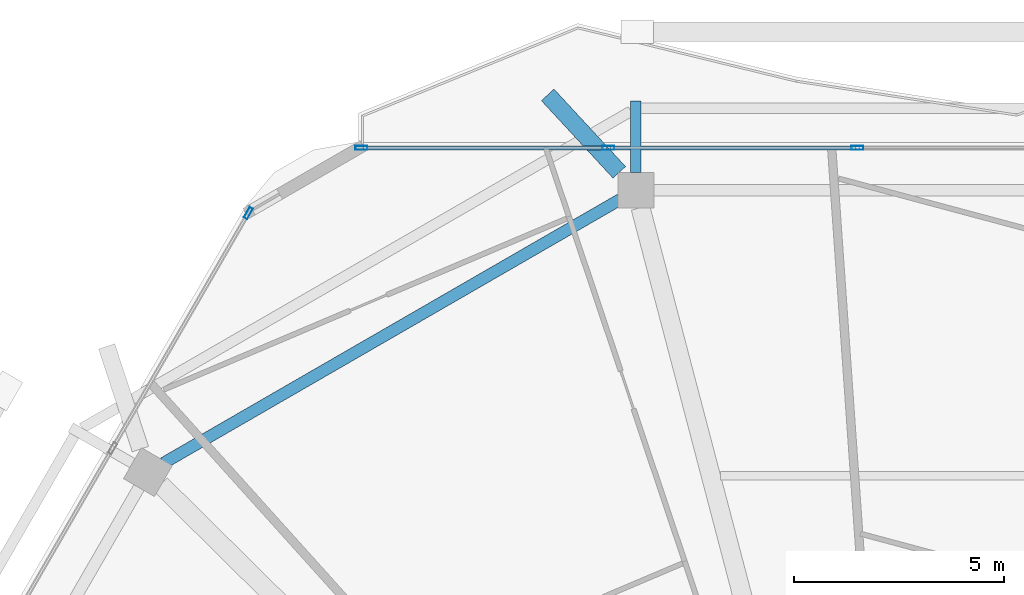
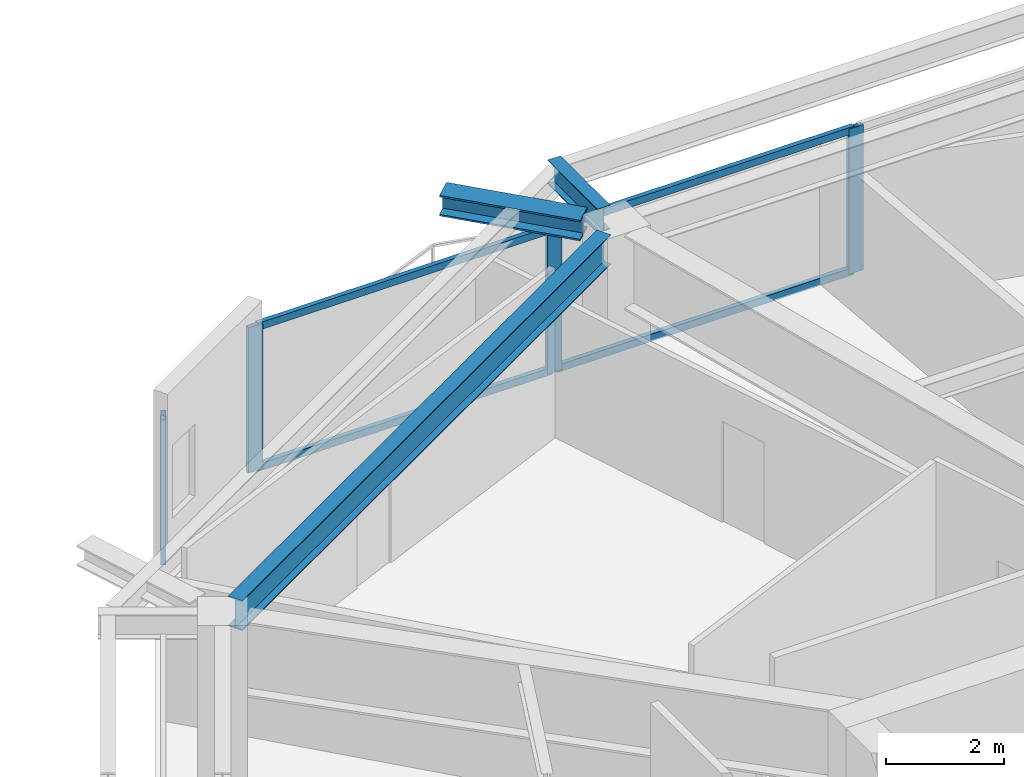
# One storey, part 14 of 26: 8 members, 3 beams, 2 elements without a shape of their own.
"""IFC4 building model written with IfcOpenShell, lengths in metres."""

from ifc_helpers import new_model, si_unit, direction, frame, origin, origin_2d, place, context, subcontext, project, spatial, hollow_rectangle, i_section, extrude, material, material_profile, profile_set, type_object, element, aggregate, save


model = new_model("IFC4")

# Units and contexts
model_context = context("Model", 3, precision=1e-05, world=origin(), true_north=direction((0.0, 1.0)))
body_context = subcontext(model_context, "Body", "Model", "MODEL_VIEW")
ifc_project = project(units=[si_unit("LENGTHUNIT", "METRE"), si_unit("AREAUNIT", "SQUARE_METRE"), si_unit("VOLUMEUNIT", "CUBIC_METRE"), si_unit("PLANEANGLEUNIT", "RADIAN"), si_unit("MASSUNIT", "GRAM", prefix="KILO")], contexts=[model_context])

# Site, building, storey
site_placement = place(None, origin())
site = spatial("IfcSite", under=ifc_project, at=site_placement, CompositionType="ELEMENT")
building_placement = place(site_placement, origin())
building = spatial("IfcBuilding", under=site, at=building_placement, Name="Zuhravey Tower", CompositionType="ELEMENT")
storey_placement = place(building_placement, frame((0.0, 0.0, 299.60009765625)))
storey = spatial("IfcBuildingStorey", under=building, at=storey_placement, Name="L76", CompositionType="ELEMENT", Elevation=299.60009765625)

# Curtain wall, member
ifc_material_1 = material(Name="Thermally broken anodised aluminium", Category="aluminium")
curtain_wall_type = type_object("IfcCurtainWallType", Name="Zone 3-4 High-Rise Curtain Wall CW4", PredefinedType="NOTDEFINED", material=ifc_material_1)
curtain_wall_1_placement = place(storey_placement, origin())
curtain_wall_1 = element("IfcCurtainWall", 1, at=curtain_wall_1_placement, inside=storey, type_object=curtain_wall_type, Name="L76 CW4 CW-L76-F3-1", PredefinedType="NOTDEFINED")
ifc_material_2 = material(Name="Anodised aluminium", Category="aluminium")
ifc_material_profile_1 = material_profile(ifc_material_2, hollow_rectangle(XDim=0.090087890625, YDim=0.284912109375, WallThickness=0.0048828125, at=origin_2d()), Name="ALU-RHS-90x285x5")
ifc_profile_set_1 = profile_set([ifc_material_profile_1], Name="Anodised aluminium")
member_type_1 = type_object("IfcMemberType", Name="Curtain-Wall Mullion 90x180", PredefinedType="MULLION", material=ifc_profile_set_1)
member_1_placement = place(storey_placement, frame((20.34521484375, 56.01220703125, 0.0), z_axis=(0.0, 0.0, 1.0), x_axis=(-0.866024851021, 0.500000957414, 0.0)))
member_1 = element("IfcMember", 2, at=member_1_placement, type_object=member_type_1, Name="CW4 mullion 5", PredefinedType="MULLION", context=body_context, shape_type="SweptSolid", body=[
    extrude(hollow_rectangle(XDim=0.090087890625, YDim=0.284912109375, WallThickness=0.0048828125, at=origin_2d()), origin(), (0.0, 0.0, 1.0), 3.02001953125),
])
aggregate(curtain_wall_1, [member_1])

# Curtain wall, members
curtain_wall_2_placement = place(storey_placement, origin())
curtain_wall_2 = element("IfcCurtainWall", 3, at=curtain_wall_2_placement, inside=storey, type_object=curtain_wall_type, Name="L76 CW4 CW-L76-F2-1", PredefinedType="NOTDEFINED")
member_2_placement = place(storey_placement, frame((23.0322265625, 57.563720703125, 0.0), z_axis=(0.0, 0.0, 1.0), x_axis=(0.0, 1.0, 0.0)))
member_2 = element("IfcMember", 4, at=member_2_placement, type_object=member_type_1, Name="CW4 mullion 1", PredefinedType="MULLION", context=body_context, shape_type="SweptSolid", body=[
    extrude(hollow_rectangle(XDim=0.090087890625, YDim=0.284912109375, WallThickness=0.0048828125, at=origin_2d()), origin(), (0.0, 0.0, 1.0), 3.02001953125),
])
member_3_placement = place(storey_placement, frame((28.90625, 57.563720703125, 0.0), z_axis=(0.0, 0.0, 1.0), x_axis=(0.0, 1.0, 0.0)))
member_3 = element("IfcMember", 5, at=member_3_placement, type_object=member_type_1, Name="CW4 mullion 2", PredefinedType="MULLION", context=body_context, shape_type="SweptSolid", body=[
    extrude(hollow_rectangle(XDim=0.090087890625, YDim=0.284912109375, WallThickness=0.0048828125, at=origin_2d()), origin(), (0.0, 0.0, 1.0), 3.02001953125),
])
member_4_placement = place(storey_placement, frame((34.824951171875, 57.563720703125, 0.0), z_axis=(0.0, 0.0, 1.0), x_axis=(0.0, 1.0, 0.0)))
member_4 = element("IfcMember", 6, at=member_4_placement, type_object=member_type_1, Name="CW4 mullion 3", PredefinedType="MULLION", context=body_context, shape_type="SweptSolid", body=[
    extrude(hollow_rectangle(XDim=0.090087890625, YDim=0.284912109375, WallThickness=0.0048828125, at=origin_2d()), origin(), (0.0, 0.0, 1.0), 3.02001953125),
])
ifc_material_profile_2 = material_profile(ifc_material_2, hollow_rectangle(XDim=0.090087890625, YDim=0.14990234375, WallThickness=0.0048828125, at=origin_2d()), Name="ALU-RHS-90x150x5")
ifc_profile_set_2 = profile_set([ifc_material_profile_2], Name="Anodised aluminium")
member_type_2 = type_object("IfcMemberType", Name="Curtain-Wall Transom 90x150", PredefinedType="USERDEFINED", material=ifc_profile_set_2)
member_5_placement = place(storey_placement, frame((23.077392578125, 57.563720703125, 0.044921875), z_axis=(1.0, 0.0, 0.0), x_axis=(0.0, 1.0, 0.0)))
member_5 = element("IfcMember", 7, at=member_5_placement, type_object=member_type_2, Name="CW4 transom 1.1", ObjectType="TRANSOM", PredefinedType="USERDEFINED", context=body_context, shape_type="SweptSolid", body=[
    extrude(hollow_rectangle(XDim=0.090087890625, YDim=0.14990234375, WallThickness=0.0048828125, at=origin_2d()), origin(), (0.0, 0.0, 1.0), 5.78369140625),
])
member_6_placement = place(storey_placement, frame((23.077392578125, 57.563720703125, 2.974853515625), z_axis=(1.0, 0.0, 0.0), x_axis=(0.0, 1.0, 0.0)))
member_6 = element("IfcMember", 8, at=member_6_placement, type_object=member_type_2, Name="CW4 transom 1.2", ObjectType="TRANSOM", PredefinedType="USERDEFINED", context=body_context, shape_type="SweptSolid", body=[
    extrude(hollow_rectangle(XDim=0.090087890625, YDim=0.14990234375, WallThickness=0.0048828125, at=origin_2d()), origin(), (0.0, 0.0, 1.0), 5.78369140625),
])
member_7_placement = place(storey_placement, frame((28.951171875, 57.563720703125, 0.044921875), z_axis=(1.0, 0.0, 0.0), x_axis=(0.0, 1.0, 0.0)))
member_7 = element("IfcMember", 9, at=member_7_placement, type_object=member_type_2, Name="CW4 transom 2.1", ObjectType="TRANSOM", PredefinedType="USERDEFINED", context=body_context, shape_type="SweptSolid", body=[
    extrude(hollow_rectangle(XDim=0.090087890625, YDim=0.14990234375, WallThickness=0.0048828125, at=origin_2d()), origin(), (0.0, 0.0, 1.0), 5.828857421875),
])
member_8_placement = place(storey_placement, frame((28.951171875, 57.563720703125, 2.974853515625), z_axis=(1.0, 0.0, 0.0), x_axis=(0.0, 1.0, 0.0)))
member_8 = element("IfcMember", 10, at=member_8_placement, type_object=member_type_2, Name="CW4 transom 2.2", ObjectType="TRANSOM", PredefinedType="USERDEFINED", context=body_context, shape_type="SweptSolid", body=[
    extrude(hollow_rectangle(XDim=0.090087890625, YDim=0.14990234375, WallThickness=0.0048828125, at=origin_2d()), origin(), (0.0, 0.0, 1.0), 5.828857421875),
])
aggregate(curtain_wall_2, [member_2, member_3, member_4, member_5, member_6, member_7, member_8])

# Beams
ifc_material_3 = material(Name="Steel SM460", Category="steel")
ifc_material_profile_3 = material_profile(ifc_material_3, i_section(OverallWidth=0.406982421875, OverallDepth=0.427978515625, WebThickness=0.02001953125, FlangeThickness=0.034912109375, at=origin_2d()), Name="H-428x407x20x35")
ifc_profile_set_3 = profile_set([ifc_material_profile_3], Name="Steel SM460")
beam_type_1 = type_object("IfcBeamType", Name="Exoskeleton Node Tie Beam H428x407", PredefinedType="BEAM", material=ifc_profile_set_3)
beam_1_placement = place(storey_placement, frame((29.163330078125, 56.9814453125, 3.305908203125), z_axis=(-0.678870161951, 0.734258335474, 0.0), x_axis=(-0.734258335474, -0.678870161951, 0.0)))
element("IfcBeam", 11, at=beam_1_placement, inside=storey, type_object=beam_type_1, Name="L76 Exoskeleton Node Tie NT1-04", PredefinedType="BEAM", context=body_context, shape_type="SweptSolid", body=[
    extrude(i_section(OverallWidth=0.406982421875, OverallDepth=0.427978515625, WebThickness=0.02001953125, FlangeThickness=0.034912109375, at=origin_2d()), origin(), (0.0, 0.0, 1.0), 2.508056640625),
])
ifc_material_4 = material(Name="Steel SM355", Category="steel")
ifc_material_profile_4 = material_profile(ifc_material_4, i_section(OverallWidth=0.280029296875, OverallDepth=0.6201171875, WebThickness=0.011962890625, FlangeThickness=0.02001953125, at=origin_2d()), Name="H-620x280x12x20")
ifc_profile_set_4 = profile_set([ifc_material_profile_4], Name="Steel SM355")
beam_type_2 = type_object("IfcBeamType", Name="Perimeter Ring Beam H620x280", PredefinedType="BEAM", material=ifc_profile_set_4)
beam_2_placement = place(storey_placement, frame((29.1884765625, 56.339599609375, 3.2099609375), z_axis=(-0.866018312875, -0.500012281615, 0.0), x_axis=(0.500012281615, -0.866018312875, 0.0)))
element("IfcBeam", 12, at=beam_2_placement, inside=storey, type_object=beam_type_2, Name="L76 PB3 BM-L76-PB-04", PredefinedType="BEAM", context=body_context, shape_type="SweptSolid", body=[
    extrude(i_section(OverallWidth=0.280029296875, OverallDepth=0.6201171875, WebThickness=0.011962890625, FlangeThickness=0.02001953125, at=origin_2d()), origin(), (0.0, 0.0, 1.0), 12.541748046875),
])
ifc_material_profile_5 = material_profile(ifc_material_4, i_section(OverallWidth=0.25, OverallDepth=0.5, WebThickness=0.010009765625, FlangeThickness=0.01611328125, at=origin_2d()), Name="H-500x250x10x16")
ifc_profile_set_5 = profile_set([ifc_material_profile_5], Name="Steel SM355")
beam_type_3 = type_object("IfcBeamType", Name="Tray Cantilever Spandrel H500x250", PredefinedType="SPANDREL", material=ifc_profile_set_5)
beam_3_placement = place(storey_placement, frame((29.55908203125, 56.982666015625, 3.27001953125), z_axis=(0.0, 1.0, 0.0), x_axis=(-1.0, 0.0, 0.0)))
element("IfcBeam", 13, at=beam_3_placement, inside=storey, type_object=beam_type_3, Name="L76 Sky-Tray Cantilever Arm TSB1-R04", PredefinedType="SPANDREL", context=body_context, shape_type="SweptSolid", body=[
    extrude(i_section(OverallWidth=0.25, OverallDepth=0.5, WebThickness=0.010009765625, FlangeThickness=0.01611328125, at=origin_2d()), origin(), (0.0, 0.0, 1.0), 1.69091796875),
])

save(model, "model.ifc")
